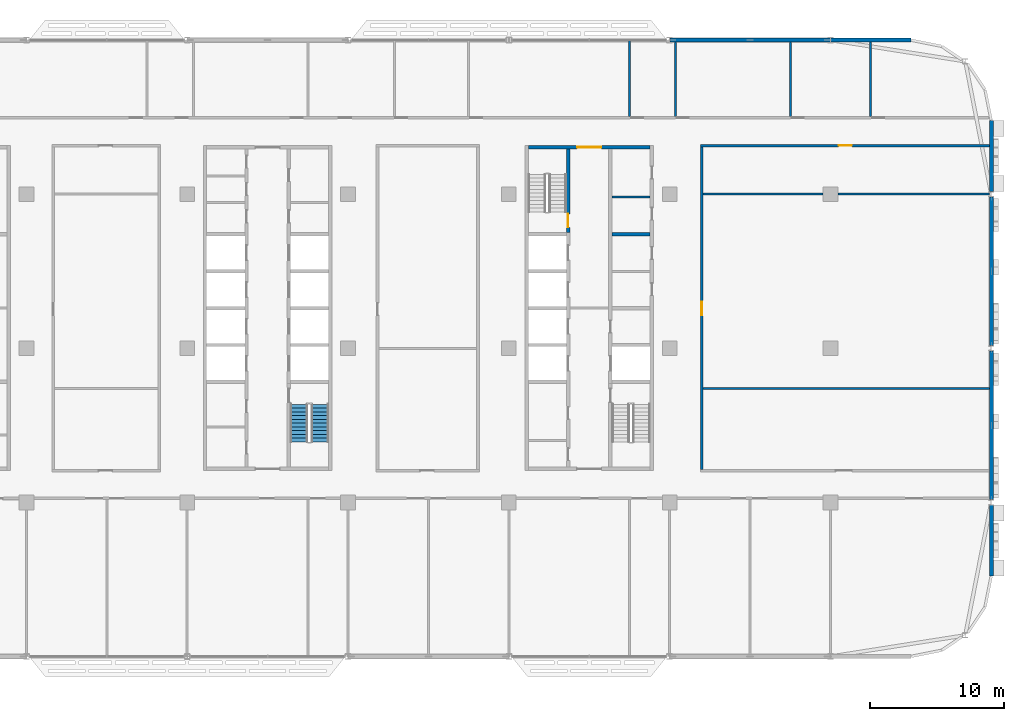
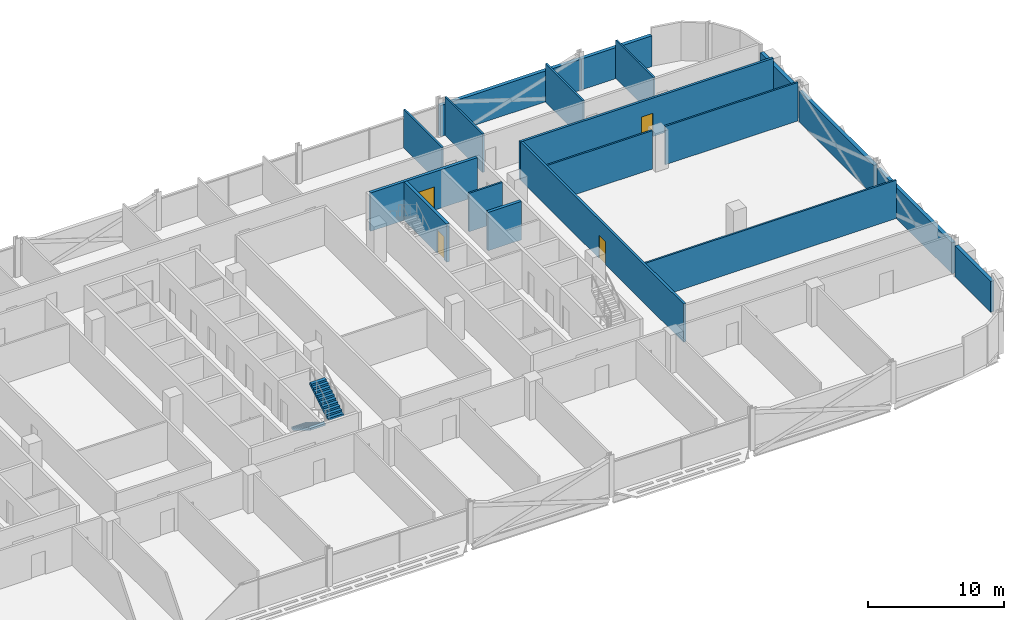
# One storey, part 18 of 30: 19 walls, 4 doors, 2 stair flights, 4 openings, 1 element without a shape of its own.
"""IFC4 building model written with IfcOpenShell, lengths in metres."""

from ifc_helpers import new_model, si_unit, direction, frame, frame_2d, origin, place, context, subcontext, project, spatial, polyline, rectangle, outline, extrude, material, layer, layer_set, type_object, element, fill, aggregate, save


model = new_model("IFC4")

# Units and contexts
model_context = context("Model", 3, precision=1e-05, world=origin(), true_north=direction((0.0, 1.0)))
body_context = subcontext(model_context, "Body", "Model", "MODEL_VIEW")
ifc_project = project(units=[si_unit("LENGTHUNIT", "METRE"), si_unit("AREAUNIT", "SQUARE_METRE"), si_unit("VOLUMEUNIT", "CUBIC_METRE"), si_unit("PLANEANGLEUNIT", "RADIAN"), si_unit("MASSUNIT", "GRAM", prefix="KILO")], contexts=[model_context])

# Site, building, storey
site_placement = place(None, origin())
site = spatial("IfcSite", under=ifc_project, at=site_placement, CompositionType="ELEMENT")
building_placement = place(site_placement, origin())
building = spatial("IfcBuilding", under=site, at=building_placement, Name="Mahtab Terrace Research Tower", CompositionType="ELEMENT")
storey_placement = place(building_placement, frame((0.0, 0.0, 205.300048828125)))
storey = spatial("IfcBuildingStorey", under=building, at=storey_placement, Name="L49", CompositionType="ELEMENT", Elevation=205.300048828125)

# Wall
ifc_material_1 = material(Name="Gypsum board partition")
ifc_layer_1 = layer(ifc_material_1, 0.14990234375)
ifc_layer_set_1 = layer_set([ifc_layer_1], Name="Core partition 150")
wall_type_1 = type_object("IfcWallType", Name="Core partition 150", PredefinedType="PARTITIONING", material=ifc_layer_set_1)
wall_1_placement = place(storey_placement, frame((25.699951171875, 11.27490234375, 0.0), z_axis=(0.0, 0.0, 1.0), x_axis=(1.0, 0.0, 0.0)))
element("IfcWall", 1, at=wall_1_placement, inside=storey, type_object=wall_type_1, Name="Core wall C pEN828", PredefinedType="PARTITIONING", context=body_context, shape_type="SweptSolid", body=[
    extrude(rectangle(XDim=2.85009765625, YDim=0.14990234375, at=frame_2d((1.425048828125, 0.0))), origin(), (0.0, 0.0, 1.0), 3.4599609375),
])

# Wall, opening, door
ifc_material_2 = material(Name="Concrete C70/85", Category="concrete")
ifc_layer_2 = layer(ifc_material_2, 0.25)
ifc_layer_set_2 = layer_set([ifc_layer_2], Name="Core wall 250")
wall_type_2 = type_object("IfcWallType", Name="Core wall 250", PredefinedType="SOLIDWALL", material=ifc_layer_set_2)
wall_2_placement = place(storey_placement, frame((19.449951171875, 15.0, 0.0), z_axis=(0.0, 0.0, 1.0), x_axis=(1.0, 0.0, 0.0)))
wall_2 = element("IfcWall", 2, at=wall_2_placement, inside=storey, type_object=wall_type_2, Name="Core wall C endN", PredefinedType="SOLIDWALL", context=body_context, shape_type="SweptSolid", body=[
    extrude(rectangle(XDim=9.10009765625, YDim=0.25, at=frame_2d((4.550048828125, 0.0))), origin(), (0.0, 0.0, 1.0), 3.4599609375),
])
opening_1_placement = place(wall_2_placement, frame((3.64990234375, 0.0, 0.0)))
opening_1 = element("IfcOpeningElement", 3, at=opening_1_placement, cuts=wall_2, Name="Opening C-N1", PredefinedType="OPENING", context=body_context, shape_type="SweptSolid", body=[
    extrude(rectangle(XDim=1.800048828125, YDim=2.10009765625, at=frame_2d((0.89990234375, 1.050048828125))), frame((0.0, 0.135009765625, 0.0), z_axis=(0.0, -1.0, 0.0), x_axis=(1.0, 0.0, 0.0)), (0.0, 0.0, 1.0), 0.27001953125),
])
ifc_material_3 = material(Name="Steel fire door", Category="steel")
door_type_1 = type_object("IfcDoorType", Name="Lobby double door 1800x2100 1 HR", OperationType="DOUBLE_DOOR_SINGLE_SWING", PredefinedType="DOOR", material=ifc_material_3)
door_1_placement = place(opening_1_placement, origin())
door_1 = element("IfcDoor", 4, at=door_1_placement, inside=storey, type_object=door_type_1, Name="Core entrance door C N", OperationType="DOUBLE_DOOR_SINGLE_SWING", OverallHeight=2.10009765625, OverallWidth=1.800048828125, PredefinedType="DOOR", context=body_context, shape_type="SweptSolid", body=[
    extrude(rectangle(XDim=1.800048828125, YDim=2.10009765625, at=frame_2d((0.89990234375, 1.050048828125))), frame((0.0, 0.02490234375, 0.0), z_axis=(0.0, -1.0, 0.0), x_axis=(1.0, 0.0, 0.0)), (0.0, 0.0, 1.0), 0.050048828125),
])
fill(opening_1, door_1)

wall_3_placement = place(storey_placement, frame((22.425048828125, 14.875, 0.0), z_axis=(0.0, 0.0, 1.0), x_axis=(0.0, -1.0, 0.0)))
wall_3 = element("IfcWall", 5, at=wall_3_placement, inside=storey, type_object=wall_type_2, Name="Core wall C innerWN", PredefinedType="SOLIDWALL", context=body_context, shape_type="SweptSolid", body=[
    extrude(rectangle(XDim=6.25, YDim=0.25, at=frame_2d((3.125, 0.0))), origin(), (0.0, 0.0, 1.0), 3.4599609375),
])
opening_2_placement = place(wall_3_placement, frame((4.85009765625, 0.0, 0.0)))
opening_2 = element("IfcOpeningElement", 6, at=opening_2_placement, cuts=wall_3, Name="Opening C-ST3", PredefinedType="OPENING", context=body_context, shape_type="SweptSolid", body=[
    extrude(rectangle(XDim=1.0, YDim=2.10009765625, at=frame_2d((0.5, 1.050048828125))), frame((0.0, 0.135009765625, 0.0), z_axis=(0.0, -1.0, 0.0), x_axis=(1.0, 0.0, 0.0)), (0.0, 0.0, 1.0), 0.27001953125),
])
door_type_2 = type_object("IfcDoorType", Name="Stair door 1000x2100 1.5 HR", OperationType="NOTDEFINED", PredefinedType="DOOR", material=ifc_material_3)
door_2_placement = place(opening_2_placement, origin())
door_2 = element("IfcDoor", 7, at=door_2_placement, inside=storey, type_object=door_type_2, Name="Stair door ST3 L49", OperationType="SINGLE_SWING_RIGHT", OverallHeight=2.10009765625, OverallWidth=1.0, PredefinedType="DOOR", context=body_context, shape_type="SweptSolid", body=[
    extrude(rectangle(XDim=1.0, YDim=2.10009765625, at=frame_2d((0.5, 1.050048828125))), frame((0.0, 0.02490234375, 0.0), z_axis=(0.0, -1.0, 0.0), x_axis=(1.0, 0.0, 0.0)), (0.0, 0.0, 1.0), 0.050048828125),
])
fill(opening_2, door_2)

# Walls
wall_4_placement = place(storey_placement, frame((25.699951171875, 8.5, 0.0), z_axis=(0.0, 0.0, 1.0), x_axis=(1.0, 0.0, 0.0)))
element("IfcWall", 8, at=wall_4_placement, inside=storey, type_object=wall_type_2, Name="Core wall C divE4", PredefinedType="SOLIDWALL", context=body_context, shape_type="SweptSolid", body=[
    extrude(rectangle(XDim=2.85009765625, YDim=0.25, at=frame_2d((1.425048828125, 0.0))), origin(), (0.0, 0.0, 1.0), 3.4599609375),
])
ifc_material_4 = material(Name="Black aluminium cladding panel", Category="aluminium")
ifc_layer_3 = layer(ifc_material_4, 0.300048828125)
ifc_layer_set_3 = layer_set([ifc_layer_3], Name="Opaque facade wall 300")
wall_type_3 = type_object("IfcWallType", Name="Opaque facade wall 300", PredefinedType="NOTDEFINED", material=ifc_layer_set_3)
wall_5_placement = place(storey_placement, frame((48.0, 23.0, 0.0), z_axis=(0.0, 0.0, 1.0), x_axis=(-1.0, 0.0, 0.0)))
element("IfcWall", 9, at=wall_5_placement, inside=storey, type_object=wall_type_3, Name="Opaque facade wall L49 N3", PredefinedType="NOTDEFINED", context=body_context, shape_type="SweptSolid", body=[
    extrude(rectangle(XDim=5.987548828125, YDim=0.300048828125, at=frame_2d((2.99365234375, 0.0))), origin(), (0.0, 0.0, 1.0), 2.78173828125),
])
wall_6_placement = place(storey_placement, frame((41.987548828125, 23.0, 0.0), z_axis=(0.0, 0.0, 1.0), x_axis=(-1.0, 0.0, 0.0)))
element("IfcWall", 10, at=wall_6_placement, inside=storey, type_object=wall_type_3, Name="Opaque facade wall L49 N4", PredefinedType="NOTDEFINED", context=body_context, shape_type="SweptSolid", body=[
    extrude(rectangle(XDim=11.97509765625, YDim=0.300048828125, at=frame_2d((5.987548828125, 0.0))), origin(), (0.0, 0.0, 1.0), 2.78173828125),
])
wall_7_placement = place(storey_placement, frame((54.0, -17.0, 0.0), z_axis=(0.0, 0.0, 1.0), x_axis=(0.0, 1.0, 0.0)))
element("IfcWall", 11, at=wall_7_placement, inside=storey, type_object=wall_type_3, Name="Opaque facade wall L49 E35", PredefinedType="NOTDEFINED", context=body_context, shape_type="SweptSolid", body=[
    extrude(rectangle(XDim=5.300048828125, YDim=0.300048828125, at=frame_2d((2.64990234375, 0.0))), origin(), (0.0, 0.0, 1.0), 2.78173828125),
])
for number, where, z_axis, x_axis, name in (
    (12, (54.0, -11.300048828125, 0.0), (0.0, 0.0, 1.0), (0.0, 1.0, 0.0), "Opaque facade wall L49 E36"),
    (13, (54.0, 0.199951171875, 0.0), (0.0, 0.0, 1.0), (0.0, 1.0, 0.0), "Opaque facade wall L49 E37"),
):
    element("IfcWall", number, at=place(storey_placement, frame(where, z_axis=z_axis, x_axis=x_axis)), inside=storey, type_object=wall_type_3, Name=name, PredefinedType="NOTDEFINED", context=body_context, shape_type="SweptSolid", body=[
        extrude(rectangle(XDim=11.10009765625, YDim=0.300048828125, at=frame_2d((5.550048828125, 0.0))), origin(), (0.0, 0.0, 1.0), 2.78173828125),
    ])
wall_8_placement = place(storey_placement, frame((54.0, 11.699951171875, 0.0), z_axis=(0.0, 0.0, 1.0), x_axis=(0.0, 1.0, 0.0)))
element("IfcWall", 14, at=wall_8_placement, inside=storey, type_object=wall_type_3, Name="Opaque facade wall L49 E38", PredefinedType="NOTDEFINED", context=body_context, shape_type="SweptSolid", body=[
    extrude(rectangle(XDim=5.300048828125, YDim=0.300048828125, at=frame_2d((2.64990234375, 0.0))), origin(), (0.0, 0.0, 1.0), 2.78173828125),
])

# Wall, opening, door
ifc_material_5 = material(Name="Gypsum board corridor wall on steel studs", Category="steel")
ifc_layer_4 = layer(ifc_material_5, 0.199951171875)
ifc_layer_set_4 = layer_set([ifc_layer_4], Name="WALL CORRIDOR 200")
wall_type_4 = type_object("IfcWallType", Name="WALL CORRIDOR 200", PredefinedType="PARTITIONING", material=ifc_layer_set_4)
wall_9_placement = place(storey_placement, frame((32.300048828125, 15.125, 0.0), z_axis=(0.0, 0.0, 1.0), x_axis=(1.0, 0.0, 0.0)))
wall_9 = element("IfcWall", 15, at=wall_9_placement, inside=storey, type_object=wall_type_4, Name="L49-W023", PredefinedType="PARTITIONING", context=body_context, shape_type="SweptSolid", body=[
    extrude(rectangle(XDim=21.550048828125, YDim=0.199951171875, at=frame_2d((10.77490234375, 0.0))), origin(), (0.0, 0.0, 1.0), 3.4599609375),
])
opening_3_placement = place(wall_9_placement, frame((10.300048828125, 0.0, 0.0)))
opening_3 = element("IfcOpeningElement", 16, at=opening_3_placement, cuts=wall_9, Name="Opening L49-125", PredefinedType="OPENING", context=body_context, shape_type="SweptSolid", body=[
    extrude(rectangle(XDim=1.0, YDim=2.10009765625, at=frame_2d((0.5, 1.050048828125))), frame((0.0, 0.10986328125, 0.0), z_axis=(0.0, -1.0, 0.0), x_axis=(1.0, 0.0, 0.0)), (0.0, 0.0, 1.0), 0.219970703125),
])
ifc_material_6 = material(Name="Timber door leaf in steel frame", Category="steel")
door_type_3 = type_object("IfcDoorType", Name="DOOR 1000X2100 FD30S", OperationType="SINGLE_SWING_LEFT", PredefinedType="DOOR", material=ifc_material_6)
door_3_placement = place(opening_3_placement, origin())
door_3 = element("IfcDoor", 17, at=door_3_placement, inside=storey, type_object=door_type_3, Name="Door L49-125", OperationType="SINGLE_SWING_LEFT", OverallHeight=2.10009765625, OverallWidth=1.0, PredefinedType="DOOR", context=body_context, shape_type="SweptSolid", body=[
    extrude(rectangle(XDim=1.0, YDim=2.10009765625, at=frame_2d((0.5, 1.050048828125))), frame((0.0, 0.02490234375, 0.0), z_axis=(0.0, -1.0, 0.0), x_axis=(1.0, 0.0, 0.0)), (0.0, 0.0, 1.0), 0.050048828125),
])
fill(opening_3, door_3)

wall_10_placement = place(storey_placement, frame((32.39990234375, -9.02490234375, 0.0), z_axis=(0.0, 0.0, 1.0), x_axis=(0.0, 1.0, 0.0)))
wall_10 = element("IfcWall", 18, at=wall_10_placement, inside=storey, type_object=wall_type_4, Name="L49-W052", PredefinedType="PARTITIONING", context=body_context, shape_type="SweptSolid", body=[
    extrude(rectangle(XDim=24.0498046875, YDim=0.199951171875, at=frame_2d((12.02490234375, 0.0))), origin(), (0.0, 0.0, 1.0), 3.4599609375),
])
opening_4_placement = place(wall_10_placement, frame((11.5, 0.0, 0.0)))
opening_4 = element("IfcOpeningElement", 19, at=opening_4_placement, cuts=wall_10, Name="Opening L49-121", PredefinedType="OPENING", context=body_context, shape_type="SweptSolid", body=[
    extrude(rectangle(XDim=1.0, YDim=2.10009765625, at=frame_2d((0.5, 1.050048828125))), frame((0.0, 0.10986328125, 0.0), z_axis=(0.0, -1.0, 0.0), x_axis=(1.0, 0.0, 0.0)), (0.0, 0.0, 1.0), 0.219970703125),
])
door_4_placement = place(opening_4_placement, origin())
door_4 = element("IfcDoor", 20, at=door_4_placement, inside=storey, type_object=door_type_3, Name="Door L49-121", OperationType="SINGLE_SWING_RIGHT", OverallHeight=2.10009765625, OverallWidth=1.0, PredefinedType="DOOR", context=body_context, shape_type="SweptSolid", body=[
    extrude(rectangle(XDim=1.0, YDim=2.10009765625, at=frame_2d((0.5, 1.050048828125))), frame((0.0, 0.02490234375, 0.0), z_axis=(0.0, -1.0, 0.0), x_axis=(1.0, 0.0, 0.0)), (0.0, 0.0, 1.0), 0.050048828125),
])
fill(opening_4, door_4)

# Walls
ifc_material_7 = material(Name="Gypsum board partition on steel studs", Category="steel")
ifc_layer_5 = layer(ifc_material_7, 0.14990234375)
ifc_layer_set_5 = layer_set([ifc_layer_5], Name="WALL PARTITION 150")
wall_type_5 = type_object("IfcWallType", Name="WALL PARTITION 150", PredefinedType="PARTITIONING", material=ifc_layer_set_5)
wall_11_placement = place(storey_placement, frame((32.5, -3.0, 0.0), z_axis=(0.0, 0.0, 1.0), x_axis=(1.0, 0.0, 0.0)))
element("IfcWall", 21, at=wall_11_placement, inside=storey, type_object=wall_type_5, Name="L49-W014", PredefinedType="PARTITIONING", context=body_context, shape_type="SweptSolid", body=[
    extrude(rectangle(XDim=21.35009765625, YDim=0.14990234375, at=frame_2d((10.675048828125, 0.0))), origin(), (0.0, 0.0, 1.0), 3.4599609375),
])
wall_12_placement = place(storey_placement, frame((32.5, 11.5, 0.0), z_axis=(0.0, 0.0, 1.0), x_axis=(1.0, 0.0, 0.0)))
element("IfcWall", 22, at=wall_12_placement, inside=storey, type_object=wall_type_5, Name="L49-W018", PredefinedType="PARTITIONING", context=body_context, shape_type="SweptSolid", body=[
    extrude(rectangle(XDim=8.949951171875, YDim=0.14990234375, at=frame_2d((4.47509765625, 0.0))), origin(), (0.0, 0.0, 1.0), 3.4599609375),
])
wall_13_placement = place(storey_placement, frame((42.550048828125, 11.5, 0.0), z_axis=(0.0, 0.0, 1.0), x_axis=(1.0, 0.0, 0.0)))
element("IfcWall", 23, at=wall_13_placement, inside=storey, type_object=wall_type_5, Name="L49-W019", PredefinedType="PARTITIONING", context=body_context, shape_type="SweptSolid", body=[
    extrude(rectangle(XDim=11.300048828125, YDim=0.14990234375, at=frame_2d((5.64990234375, 0.0))), origin(), (0.0, 0.0, 1.0), 3.4599609375),
])
wall_14_placement = place(storey_placement, frame((27.0, 17.300048828125, 0.0), z_axis=(0.0, 0.0, 1.0), x_axis=(0.0, 1.0, 0.0)))
element("IfcWall", 24, at=wall_14_placement, inside=storey, type_object=wall_type_5, Name="L49-W049", PredefinedType="PARTITIONING", context=body_context, shape_type="SweptSolid", body=[
    extrude(rectangle(XDim=5.675048828125, YDim=0.14990234375, at=frame_2d((2.83740234375, 0.0))), origin(), (0.0, 0.0, 1.0), 3.4599609375),
])
for number, where, z_axis, x_axis, name in (
    (25, (30.449951171875, 17.300048828125, 0.0), (0.0, 0.0, 1.0), (0.0, 1.0, 0.0), "L49-W051"),
    (26, (39.0, 17.300048828125, 0.0), (0.0, 0.0, 1.0), (0.0, 1.0, 0.0), "L49-W054"),
    (27, (45.0, 17.300048828125, 0.0), (0.0, 0.0, 1.0), (0.0, 1.0, 0.0), "L49-W056"),
):
    element("IfcWall", number, at=place(storey_placement, frame(where, z_axis=z_axis, x_axis=x_axis)), inside=storey, type_object=wall_type_5, Name=name, PredefinedType="PARTITIONING", context=body_context, shape_type="SweptSolid", body=[
        extrude(rectangle(XDim=5.550048828125, YDim=0.14990234375, at=frame_2d((2.77490234375, 0.0))), origin(), (0.0, 0.0, 1.0), 3.4599609375),
    ])

# Stair, stair flights
ifc_material_8 = material(Name="Exit stair half-turn")
stair_type = type_object("IfcStairType", Name="Exit stair half-turn", PredefinedType="HALF_TURN_STAIR", material=ifc_material_8)
stair_placement = place(storey_placement, origin())
stair = element("IfcStair", 28, at=stair_placement, inside=storey, type_object=stair_type, Name="L49 Protected exit stair ST2", PredefinedType="HALF_TURN_STAIR")
ifc_material_9 = material(Name="Concrete C40/50", Category="concrete")
stair_flight_type = type_object("IfcStairFlightType", Name="Exit stair flight 1300", PredefinedType="STRAIGHT", material=ifc_material_9)
stair_flight_1_placement = place(storey_placement, frame((2.35009765625, -4.175048828125, 0.0), z_axis=(0.0, 0.0, 1.0), x_axis=(0.0, -1.0, 0.0)))
stair_flight_1 = element("IfcStairFlight", 29, at=stair_flight_1_placement, type_object=stair_flight_type, Name="ST2 flight 1", NumberOfRisers=11, NumberOfTreads=10, PredefinedType="STRAIGHT", RiserHeight=0.172727273, TreadLength=0.28, context=body_context, shape_type="SweptSolid", body=[
    extrude(outline(polyline([(0.0, 0.0), (0.0, 0.172607421875), (0.280029296875, 0.172607421875), (0.280029296875, 0.345458984375), (0.56005859375, 0.345458984375), (0.56005859375, 0.51806640625), (0.840087890625, 0.51806640625), (0.840087890625, 0.69091796875), (1.1201171875, 0.69091796875), (1.1201171875, 0.863525390625), (1.39990234375, 0.863525390625), (1.39990234375, 1.036376953125), (1.679931640625, 1.036376953125), (1.679931640625, 1.208984375), (1.9599609375, 1.208984375), (1.9599609375, 1.3818359375), (2.239990234375, 1.3818359375), (2.239990234375, 1.554443359375), (2.52001953125, 1.554443359375), (2.52001953125, 1.727294921875), (2.800048828125, 1.727294921875), (2.800048828125, 1.89990234375), (2.800048828125, 1.551025390625), (0.285400390625, 0.0), (0.0, 0.0)])), frame((0.0, 0.64990234375, 0.0), z_axis=(0.0, -1.0, 0.0), x_axis=(1.0, 0.0, 0.0)), (0.0, 0.0, 1.0), 1.300048828125),
])
stair_flight_2_placement = place(storey_placement, frame((3.89990234375, -6.97509765625, 1.89990234375), z_axis=(0.0, 0.0, 1.0), x_axis=(0.0, 1.0, 0.0)))
stair_flight_2 = element("IfcStairFlight", 30, at=stair_flight_2_placement, type_object=stair_flight_type, Name="ST2 flight 2", NumberOfRisers=11, NumberOfTreads=10, PredefinedType="STRAIGHT", RiserHeight=0.172727273, TreadLength=0.28, context=body_context, shape_type="SweptSolid", body=[
    extrude(outline(polyline([(0.0, 0.0), (0.0, 0.172607421875), (0.280029296875, 0.172607421875), (0.280029296875, 0.345458984375), (0.56005859375, 0.345458984375), (0.56005859375, 0.51806640625), (0.840087890625, 0.51806640625), (0.840087890625, 0.69091796875), (1.1201171875, 0.69091796875), (1.1201171875, 0.863525390625), (1.39990234375, 0.863525390625), (1.39990234375, 1.036376953125), (1.679931640625, 1.036376953125), (1.679931640625, 1.208984375), (1.9599609375, 1.208984375), (1.9599609375, 1.3818359375), (2.239990234375, 1.3818359375), (2.239990234375, 1.554443359375), (2.52001953125, 1.554443359375), (2.52001953125, 1.727294921875), (2.800048828125, 1.727294921875), (2.800048828125, 1.89990234375), (2.800048828125, 1.551025390625), (0.285400390625, 0.0), (0.0, 0.0)])), frame((0.0, 0.64990234375, 0.0), z_axis=(0.0, -1.0, 0.0), x_axis=(1.0, 0.0, 0.0)), (0.0, 0.0, 1.0), 1.300048828125),
])
aggregate(stair, [stair_flight_1, stair_flight_2])

save(model, "model.ifc")
